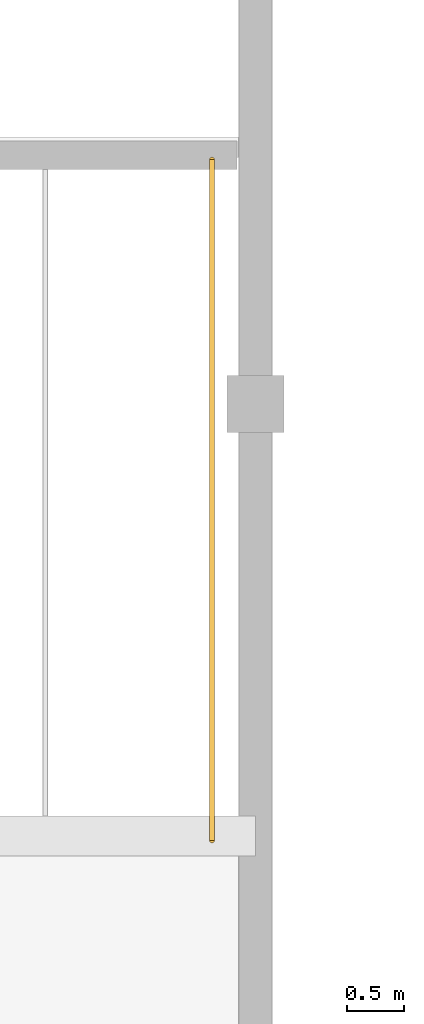
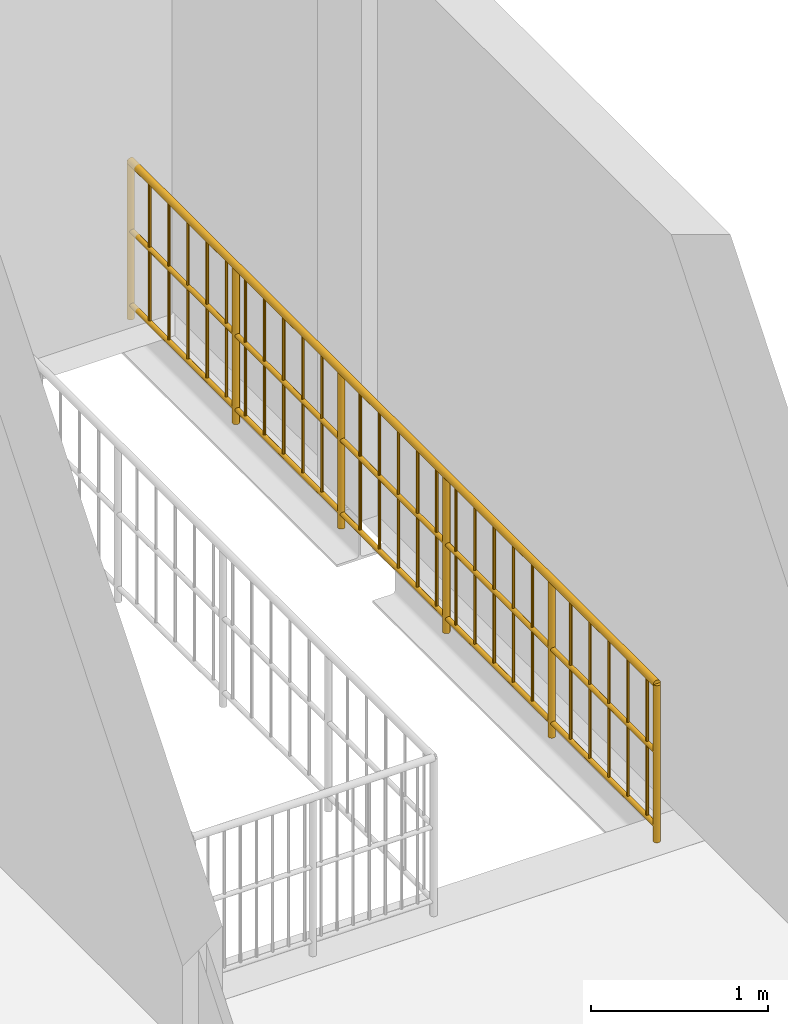
# One storey, part 51 of 51: 1 railing.
"""IFC4 building model written with IfcOpenShell, lengths in metres."""

from ifc_helpers import new_model, si_unit, direction, frame, origin, origin_2d, place, context, subcontext, project, spatial, circle, extrude, material, type_object, element, save


model = new_model("IFC4")

# Units and contexts
model_context = context("Model", 3, precision=1e-05, world=origin(), true_north=direction((0.0, 1.0)))
body_context = subcontext(model_context, "Body", "Model", "MODEL_VIEW")
ifc_project = project(units=[si_unit("LENGTHUNIT", "METRE"), si_unit("AREAUNIT", "SQUARE_METRE"), si_unit("VOLUMEUNIT", "CUBIC_METRE"), si_unit("PLANEANGLEUNIT", "RADIAN"), si_unit("MASSUNIT", "GRAM", prefix="KILO")], contexts=[model_context])

# Site, building, storey
site_placement = place(None, origin())
site = spatial("IfcSite", under=ifc_project, at=site_placement, CompositionType="ELEMENT")
building_placement = place(site_placement, origin())
building = spatial("IfcBuilding", under=site, at=building_placement, Name="Vesperath Aquatics Centre", CompositionType="ELEMENT")
storey_placement = place(building_placement, frame((0.0, 0.0, 15.0)))
storey = spatial("IfcBuildingStorey", under=building, at=storey_placement, Name="L03", CompositionType="ELEMENT", Elevation=15.0)

# Railing
ifc_material = material(Name="Powder-coated galvanized steel safety guard", Category="steel")
railing_type = type_object("IfcRailingType", Name="RL-GRD01", PredefinedType="GUARDRAIL", material=ifc_material)
railing_placement = place(storey_placement, frame((172.419921875, 82.580078125, 0.0)))
element("IfcRailing", 1, at=railing_placement, inside=storey, type_object=railing_type, Name="Stair ST4 Top Side Guard GR02 L03", PredefinedType="GUARDRAIL", context=body_context, shape_type="SweptSolid", body=[
    extrude(circle(Radius=0.02392578125, at=origin_2d()), frame((0.0, 0.0, 1.0859375), z_axis=(0.0, 1.0, 0.0), x_axis=(-1.0, 0.0, 0.0)), (0.0, 0.0, 1.0), 5.9599609375),
    extrude(circle(Radius=0.01611328125, at=origin_2d()), frame((0.0, 0.0, 0.10009765625), z_axis=(0.0, 1.0, 0.0), x_axis=(-1.0, 0.0, 0.0)), (0.0, 0.0, 1.0), 5.9599609375),
    extrude(circle(Radius=0.01611328125, at=origin_2d()), frame((0.0, 0.0, 0.610595703125), z_axis=(0.0, 1.0, 0.0), x_axis=(-1.0, 0.0, 0.0)), (0.0, 0.0, 1.0), 5.9599609375),
    extrude(circle(Radius=0.009033203125, at=origin_2d()), frame((0.0, 0.1083984375, 0.10009765625)), (0.0, 0.0, 1.0), 0.9619140625),
    extrude(circle(Radius=0.009033203125, at=origin_2d()), frame((0.0, 0.3251953125, 0.10009765625)), (0.0, 0.0, 1.0), 0.9619140625),
    extrude(circle(Radius=0.009033203125, at=origin_2d()), frame((0.0, 0.541748046875, 0.10009765625)), (0.0, 0.0, 1.0), 0.9619140625),
    extrude(circle(Radius=0.009033203125, at=origin_2d()), frame((0.0, 0.758544921875, 0.10009765625)), (0.0, 0.0, 1.0), 0.9619140625),
    extrude(circle(Radius=0.009033203125, at=origin_2d()), frame((0.0, 0.975341796875, 0.10009765625)), (0.0, 0.0, 1.0), 0.9619140625),
    extrude(circle(Radius=0.009033203125, at=origin_2d()), frame((0.0, 1.19189453125, 0.10009765625)), (0.0, 0.0, 1.0), 0.9619140625),
    extrude(circle(Radius=0.009033203125, at=origin_2d()), frame((0.0, 1.40869140625, 0.10009765625)), (0.0, 0.0, 1.0), 0.9619140625),
    extrude(circle(Radius=0.009033203125, at=origin_2d()), frame((0.0, 1.62548828125, 0.10009765625)), (0.0, 0.0, 1.0), 0.9619140625),
    extrude(circle(Radius=0.009033203125, at=origin_2d()), frame((0.0, 1.84228515625, 0.10009765625)), (0.0, 0.0, 1.0), 0.9619140625),
    extrude(circle(Radius=0.009033203125, at=origin_2d()), frame((0.0, 2.058837890625, 0.10009765625)), (0.0, 0.0, 1.0), 0.9619140625),
    extrude(circle(Radius=0.009033203125, at=origin_2d()), frame((0.0, 2.275634765625, 0.10009765625)), (0.0, 0.0, 1.0), 0.9619140625),
    extrude(circle(Radius=0.009033203125, at=origin_2d()), frame((0.0, 2.492431640625, 0.10009765625)), (0.0, 0.0, 1.0), 0.9619140625),
    extrude(circle(Radius=0.009033203125, at=origin_2d()), frame((0.0, 2.708984375, 0.10009765625)), (0.0, 0.0, 1.0), 0.9619140625),
    extrude(circle(Radius=0.009033203125, at=origin_2d()), frame((0.0, 2.92578125, 0.10009765625)), (0.0, 0.0, 1.0), 0.9619140625),
    extrude(circle(Radius=0.009033203125, at=origin_2d()), frame((0.0, 3.142578125, 0.10009765625)), (0.0, 0.0, 1.0), 0.9619140625),
    extrude(circle(Radius=0.009033203125, at=origin_2d()), frame((0.0, 3.359130859375, 0.10009765625)), (0.0, 0.0, 1.0), 0.9619140625),
    extrude(circle(Radius=0.009033203125, at=origin_2d()), frame((0.0, 3.575927734375, 0.10009765625)), (0.0, 0.0, 1.0), 0.9619140625),
    extrude(circle(Radius=0.009033203125, at=origin_2d()), frame((0.0, 3.792724609375, 0.10009765625)), (0.0, 0.0, 1.0), 0.9619140625),
    extrude(circle(Radius=0.009033203125, at=origin_2d()), frame((0.0, 4.009521484375, 0.10009765625)), (0.0, 0.0, 1.0), 0.9619140625),
    extrude(circle(Radius=0.009033203125, at=origin_2d()), frame((0.0, 4.22607421875, 0.10009765625)), (0.0, 0.0, 1.0), 0.9619140625),
    extrude(circle(Radius=0.009033203125, at=origin_2d()), frame((0.0, 4.44287109375, 0.10009765625)), (0.0, 0.0, 1.0), 0.9619140625),
    extrude(circle(Radius=0.009033203125, at=origin_2d()), frame((0.0, 4.65966796875, 0.10009765625)), (0.0, 0.0, 1.0), 0.9619140625),
    extrude(circle(Radius=0.009033203125, at=origin_2d()), frame((0.0, 4.876220703125, 0.10009765625)), (0.0, 0.0, 1.0), 0.9619140625),
    extrude(circle(Radius=0.009033203125, at=origin_2d()), frame((0.0, 5.093017578125, 0.10009765625)), (0.0, 0.0, 1.0), 0.9619140625),
    extrude(circle(Radius=0.009033203125, at=origin_2d()), frame((0.0, 5.309814453125, 0.10009765625)), (0.0, 0.0, 1.0), 0.9619140625),
    extrude(circle(Radius=0.009033203125, at=origin_2d()), frame((0.0, 5.526611328125, 0.10009765625)), (0.0, 0.0, 1.0), 0.9619140625),
    extrude(circle(Radius=0.009033203125, at=origin_2d()), frame((0.0, 5.7431640625, 0.10009765625)), (0.0, 0.0, 1.0), 0.9619140625),
    extrude(circle(Radius=0.02197265625, at=origin_2d()), origin(), (0.0, 0.0, 1.0), 1.0859375),
    extrude(circle(Radius=0.02197265625, at=origin_2d()), frame((0.0, 1.19189453125, 0.0)), (0.0, 0.0, 1.0), 1.0859375),
    extrude(circle(Radius=0.02197265625, at=origin_2d()), frame((0.0, 2.384033203125, 0.0)), (0.0, 0.0, 1.0), 1.0859375),
    extrude(circle(Radius=0.02197265625, at=origin_2d()), frame((0.0, 3.575927734375, 0.0)), (0.0, 0.0, 1.0), 1.0859375),
    extrude(circle(Radius=0.02197265625, at=origin_2d()), frame((0.0, 4.76806640625, 0.0)), (0.0, 0.0, 1.0), 1.0859375),
    extrude(circle(Radius=0.02197265625, at=origin_2d()), frame((0.0, 5.9599609375, 0.0)), (0.0, 0.0, 1.0), 1.0859375),
])

save(model, "model.ifc")
